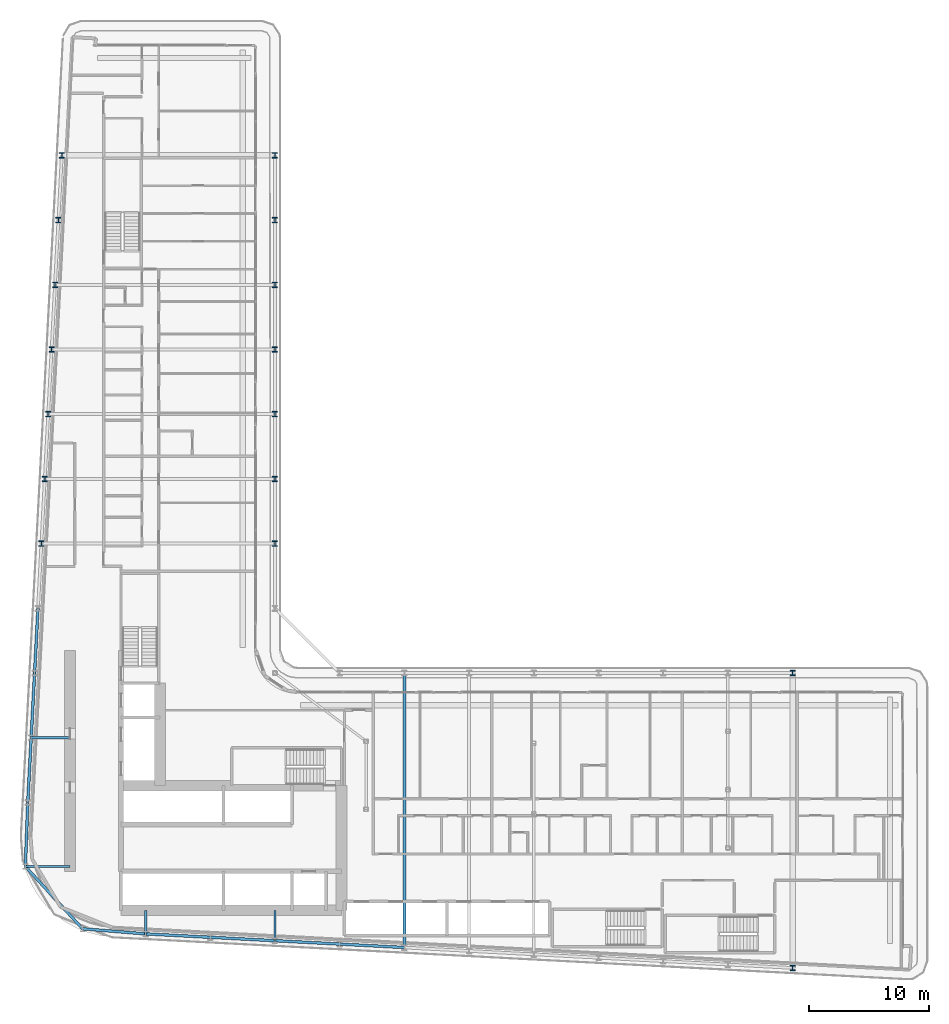
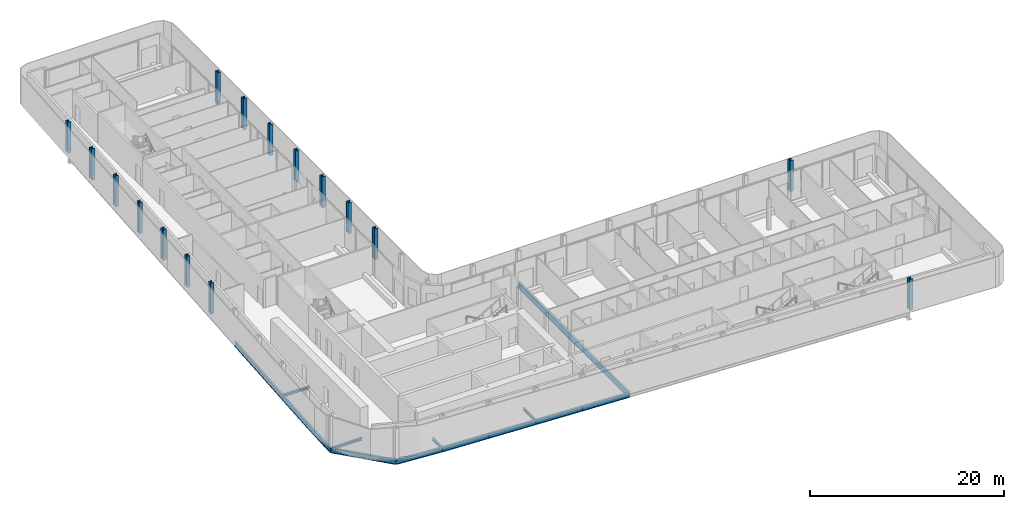
# One storey, part 3 of 28: 16 columns, 15 beams.
"""IFC4 building model written with IfcOpenShell, lengths in metres."""

from ifc_helpers import new_model, si_unit, direction, frame, origin, origin_2d, place, context, subcontext, project, spatial, i_section, extrude, material, material_profile, profile_set, type_object, element, save


model = new_model("IFC4")

# Units and contexts
model_context = context("Model", 3, precision=1e-05, world=origin(), true_north=direction((0.0, 1.0)))
body_context = subcontext(model_context, "Body", "Model", "MODEL_VIEW")
ifc_project = project(units=[si_unit("LENGTHUNIT", "METRE"), si_unit("AREAUNIT", "SQUARE_METRE"), si_unit("VOLUMEUNIT", "CUBIC_METRE"), si_unit("PLANEANGLEUNIT", "RADIAN"), si_unit("MASSUNIT", "GRAM", prefix="KILO")], contexts=[model_context])

# Site, building, storey
site_placement = place(None, origin())
site = spatial("IfcSite", under=ifc_project, at=site_placement, CompositionType="ELEMENT")
building_placement = place(site_placement, origin())
building = spatial("IfcBuilding", under=site, at=building_placement, Name="Kheshtan School and Residences Tower", CompositionType="ELEMENT")
storey_placement = place(building_placement, frame((0.0, 0.0, 125.300048828125)))
storey = spatial("IfcBuildingStorey", under=building, at=storey_placement, Name="L29", CompositionType="ELEMENT", Elevation=125.300048828125)

# Columns
ifc_material = material(Name="Steel ASTM A992 Grade 50", Category="steel")
ifc_material_profile_1 = material_profile(ifc_material, i_section(OverallWidth=0.41796875, OverallDepth=0.455078125, WebThickness=0.042236328125, FlangeThickness=0.067626953125, FilletRadius=0.013671875, at=origin_2d()), Name="W360x551")
ifc_profile_set_1 = profile_set([ifc_material_profile_1], Name="Steel ASTM A992 Grade 50")
column_type = type_object("IfcColumnType", Name="Column C2 W360x551 ASTM A992 Grade 50", PredefinedType="COLUMN", material=ifc_profile_set_1)
for number, where, z_axis, x_axis, name in (
    (1, (90.800048828125, 20.989990234375, 0.0), (0.0, 0.0, 1.0), (1.0, 0.0, 0.0), "Column C006"),
    (2, (90.800048828125, 45.60009765625, 0.0), (0.0, 0.0, 1.0), (1.0, 0.0, 0.0), "Column C068"),
    (3, (28.10595703125, 56.39990234375, 0.0), (0.0, 0.0, 1.0), (1.0, 0.0, 0.0), "Column C080"),
    (4, (47.60009765625, 56.39990234375, 0.0), (0.0, 0.0, 1.0), (1.0, 0.0, 0.0), "Column C081"),
    (5, (28.389892578125, 61.800048828125, 0.0), (0.0, 0.0, 1.0), (1.0, 0.0, 0.0), "Column C082"),
    (6, (47.60009765625, 61.800048828125, 0.0), (0.0, 0.0, 1.0), (1.0, 0.0, 0.0), "Column C083"),
    (7, (28.674072265625, 67.199951171875, 0.0), (0.0, 0.0, 1.0), (1.0, 0.0, 0.0), "Column C084"),
    (8, (47.60009765625, 67.199951171875, 0.0), (0.0, 0.0, 1.0), (1.0, 0.0, 0.0), "Column C085"),
    (9, (28.9580078125, 72.60009765625, 0.0), (0.0, 0.0, 1.0), (1.0, 0.0, 0.0), "Column C086"),
    (10, (47.60009765625, 72.60009765625, 0.0), (0.0, 0.0, 1.0), (1.0, 0.0, 0.0), "Column C087"),
    (11, (29.242919921875, 78.0, 0.0), (0.0, 0.0, 1.0), (1.0, 0.0, 0.0), "Column C088"),
    (12, (47.60009765625, 78.0, 0.0), (0.0, 0.0, 1.0), (1.0, 0.0, 0.0), "Column C089"),
    (13, (29.527099609375, 83.39990234375, 0.0), (0.0, 0.0, 1.0), (1.0, 0.0, 0.0), "Column C090"),
    (14, (47.60009765625, 83.39990234375, 0.0), (0.0, 0.0, 1.0), (1.0, 0.0, 0.0), "Column C091"),
    (15, (29.81103515625, 88.800048828125, 0.0), (0.0, 0.0, 1.0), (1.0, 0.0, 0.0), "Column C098"),
    (16, (47.60009765625, 88.800048828125, 0.0), (0.0, 0.0, 1.0), (1.0, 0.0, 0.0), "Column C099"),
):
    element("IfcColumn", number, at=place(storey_placement, frame(where, z_axis=z_axis, x_axis=x_axis)), inside=storey, type_object=column_type, Name=name, PredefinedType="COLUMN", context=body_context, shape_type="SweptSolid", body=[
        extrude(i_section(OverallWidth=0.41796875, OverallDepth=0.455078125, WebThickness=0.042236328125, FlangeThickness=0.067626953125, FilletRadius=0.013671875, at=origin_2d()), origin(), (0.0, 0.0, 1.0), 3.89990234375),
    ])

# Beams
ifc_material_profile_2 = material_profile(ifc_material, i_section(OverallWidth=0.202880859375, OverallDepth=0.302978515625, WebThickness=0.007568359375, FlangeThickness=0.01318359375, FilletRadius=0.009033203125, at=origin_2d()), Name="W310x60")
ifc_profile_set_2 = profile_set([ifc_material_profile_2], Name="Steel ASTM A992 Grade 50")
beam_type_1 = type_object("IfcBeamType", Name="Beam FB1 W310x60 ASTM A992 Grade 50", PredefinedType="BEAM", material=ifc_profile_set_2)
beam_1_placement = place(storey_placement, frame((47.60009765625, 23.263916015625, -0.301513671875), z_axis=(0.0, 1.0, 0.0), x_axis=(-1.0, 0.0, 0.0)))
element("IfcBeam", 17, at=beam_1_placement, inside=storey, type_object=beam_type_1, Name="Floor beam C020", PredefinedType="BEAM", context=body_context, shape_type="SweptSolid", body=[
    extrude(i_section(OverallWidth=0.202880859375, OverallDepth=0.302978515625, WebThickness=0.007568359375, FlangeThickness=0.01318359375, FilletRadius=0.009033203125, at=origin_2d()), origin(), (0.0, 0.0, 1.0), 2.5361328125),
])
beam_2_placement = place(storey_placement, frame((36.800048828125, 23.83203125, -0.301513671875), z_axis=(0.0, 1.0, 0.0), x_axis=(-1.0, 0.0, 0.0)))
element("IfcBeam", 18, at=beam_2_placement, inside=storey, type_object=beam_type_1, Name="Floor beam C022", PredefinedType="BEAM", context=body_context, shape_type="SweptSolid", body=[
    extrude(i_section(OverallWidth=0.202880859375, OverallDepth=0.302978515625, WebThickness=0.007568359375, FlangeThickness=0.01318359375, FilletRadius=0.009033203125, at=origin_2d()), origin(), (0.0, 0.0, 1.0), 1.968017578125),
])
beam_3_placement = place(storey_placement, frame((26.76904296875, 29.4541015625, -0.301513671875), z_axis=(1.0, 0.0, 0.0), x_axis=(0.0, 1.0, 0.0)))
element("IfcBeam", 19, at=beam_3_placement, inside=storey, type_object=beam_type_1, Name="Floor beam C038", PredefinedType="BEAM", context=body_context, shape_type="SweptSolid", body=[
    extrude(i_section(OverallWidth=0.202880859375, OverallDepth=0.302978515625, WebThickness=0.007568359375, FlangeThickness=0.01318359375, FilletRadius=0.009033203125, at=origin_2d()), origin(), (0.0, 0.0, 1.0), 3.73095703125),
])
beam_4_placement = place(storey_placement, frame((27.2529296875, 40.199951171875, -0.301513671875), z_axis=(1.0, 0.0, 0.0), x_axis=(0.0, 1.0, 0.0)))
element("IfcBeam", 20, at=beam_4_placement, inside=storey, type_object=beam_type_1, Name="Floor beam C056", PredefinedType="BEAM", context=body_context, shape_type="SweptSolid", body=[
    extrude(i_section(OverallWidth=0.202880859375, OverallDepth=0.302978515625, WebThickness=0.007568359375, FlangeThickness=0.01318359375, FilletRadius=0.009033203125, at=origin_2d()), origin(), (0.0, 0.0, 1.0), 3.2470703125),
])
ifc_material_profile_3 = material_profile(ifc_material, i_section(OverallWidth=0.2529296875, OverallDepth=0.677978515625, WebThickness=0.01171875, FlangeThickness=0.016357421875, FilletRadius=0.0146484375, at=origin_2d()), Name="W690x125")
ifc_profile_set_3 = profile_set([ifc_material_profile_3], Name="Steel ASTM A992 Grade 50")
beam_type_2 = type_object("IfcBeamType", Name="Beam FB6 W690x125 ASTM A992 Grade 50", PredefinedType="BEAM", material=ifc_profile_set_3)
beam_5_placement = place(storey_placement, frame((58.39990234375, 22.695068359375, -0.489013671875), z_axis=(0.0, 1.0, 0.0), x_axis=(-1.0, 0.0, 0.0)))
element("IfcBeam", 21, at=beam_5_placement, inside=storey, type_object=beam_type_2, Name="Floor beam C018", PredefinedType="BEAM", context=body_context, shape_type="SweptSolid", body=[
    extrude(i_section(OverallWidth=0.2529296875, OverallDepth=0.677978515625, WebThickness=0.01171875, FlangeThickness=0.016357421875, FilletRadius=0.0146484375, at=origin_2d()), origin(), (0.0, 0.0, 1.0), 22.905029296875),
])
ifc_material_profile_4 = material_profile(ifc_material, i_section(OverallWidth=0.22802734375, OverallDepth=0.60302734375, WebThickness=0.010498046875, FlangeThickness=0.014892578125, FilletRadius=0.013427734375, at=origin_2d()), Name="W610x101")
ifc_profile_set_4 = profile_set([ifc_material_profile_4], Name="Steel ASTM A992 Grade 50")
beam_type_3 = type_object("IfcBeamType", Name="Beam SP2 W610x101 ASTM A992 Grade 50", PredefinedType="BEAM", material=ifc_profile_set_4)
for number, where, z_axis, x_axis, name in (
    (22, (58.39990234375, 22.695068359375, -0.45166015625), (-0.998610961136, 0.052689166816, 0.0), (-0.052689166816, -0.998610961136, 0.0), "Spandrel beam C018-C019"),
    (23, (53.0, 22.97998046875, -0.45166015625), (-0.998620447272, 0.05250906864, 0.0), (-0.05250906864, -0.998620447272, 0.0), "Spandrel beam C019-C020"),
):
    element("IfcBeam", number, at=place(storey_placement, frame(where, z_axis=z_axis, x_axis=x_axis)), inside=storey, type_object=beam_type_3, Name=name, PredefinedType="BEAM", context=body_context, shape_type="SweptSolid", body=[
        extrude(i_section(OverallWidth=0.22802734375, OverallDepth=0.60302734375, WebThickness=0.010498046875, FlangeThickness=0.014892578125, FilletRadius=0.013427734375, at=origin_2d()), origin(), (0.0, 0.0, 1.0), 5.407470703125),
    ])
beam_6_placement = place(storey_placement, frame((47.60009765625, 23.263916015625, -0.45166015625), z_axis=(-0.998618203458, 0.052551724256, 0.0), x_axis=(-0.052551724256, -0.998618203458, 0.0)))
element("IfcBeam", 24, at=beam_6_placement, inside=storey, type_object=beam_type_3, Name="Spandrel beam C020-C021", PredefinedType="BEAM", context=body_context, shape_type="SweptSolid", body=[
    extrude(i_section(OverallWidth=0.22802734375, OverallDepth=0.60302734375, WebThickness=0.010498046875, FlangeThickness=0.014892578125, FilletRadius=0.013427734375, at=origin_2d()), origin(), (0.0, 0.0, 1.0), 5.40771484375),
])
beam_7_placement = place(storey_placement, frame((42.199951171875, 23.548095703125, -0.45166015625), z_axis=(-0.998620447272, 0.05250906864, 0.0), x_axis=(-0.05250906864, -0.998620447272, 0.0)))
element("IfcBeam", 25, at=beam_7_placement, inside=storey, type_object=beam_type_3, Name="Spandrel beam C021-C022", PredefinedType="BEAM", context=body_context, shape_type="SweptSolid", body=[
    extrude(i_section(OverallWidth=0.22802734375, OverallDepth=0.60302734375, WebThickness=0.010498046875, FlangeThickness=0.014892578125, FilletRadius=0.013427734375, at=origin_2d()), origin(), (0.0, 0.0, 1.0), 5.407470703125),
])
beam_8_placement = place(storey_placement, frame((36.800048828125, 23.83203125, -0.45166015625), z_axis=(-0.996748565693, 0.08057479003, 0.0), x_axis=(-0.08057479003, -0.996748565693, 0.0)))
element("IfcBeam", 26, at=beam_8_placement, inside=storey, type_object=beam_type_3, Name="Spandrel beam C022-C025", PredefinedType="BEAM", context=body_context, shape_type="SweptSolid", body=[
    extrude(i_section(OverallWidth=0.22802734375, OverallDepth=0.60302734375, WebThickness=0.010498046875, FlangeThickness=0.014892578125, FilletRadius=0.013427734375, at=origin_2d()), origin(), (0.0, 0.0, 1.0), 5.275146484375),
])
beam_9_placement = place(storey_placement, frame((31.5419921875, 24.257080078125, -0.45166015625), z_axis=(-0.676418406149, 0.736517576045, 0.0), x_axis=(-0.736517576045, -0.676418406149, 0.0)))
element("IfcBeam", 27, at=beam_9_placement, inside=storey, type_object=beam_type_3, Name="Spandrel beam C025-C038", PredefinedType="BEAM", context=body_context, shape_type="SweptSolid", body=[
    extrude(i_section(OverallWidth=0.22802734375, OverallDepth=0.60302734375, WebThickness=0.010498046875, FlangeThickness=0.014892578125, FilletRadius=0.013427734375, at=origin_2d()), origin(), (0.0, 0.0, 1.0), 7.05615234375),
])
beam_10_placement = place(storey_placement, frame((26.76904296875, 29.4541015625, -0.45166015625), z_axis=(0.037376249491, 0.999301263871, 0.0), x_axis=(-0.999301263871, 0.037376249491, 0.0)))
element("IfcBeam", 28, at=beam_10_placement, inside=storey, type_object=beam_type_3, Name="Spandrel beam C038-C052", PredefinedType="BEAM", context=body_context, shape_type="SweptSolid", body=[
    extrude(i_section(OverallWidth=0.22802734375, OverallDepth=0.60302734375, WebThickness=0.010498046875, FlangeThickness=0.014892578125, FilletRadius=0.013427734375, at=origin_2d()), origin(), (0.0, 0.0, 1.0), 5.349609375),
])
beam_11_placement = place(storey_placement, frame((26.968994140625, 34.800048828125, -0.45166015625), z_axis=(0.05250906864, 0.998620447272, 0.0), x_axis=(-0.998620447272, 0.05250906864, 0.0)))
element("IfcBeam", 29, at=beam_11_placement, inside=storey, type_object=beam_type_3, Name="Spandrel beam C052-C056", PredefinedType="BEAM", context=body_context, shape_type="SweptSolid", body=[
    extrude(i_section(OverallWidth=0.22802734375, OverallDepth=0.60302734375, WebThickness=0.010498046875, FlangeThickness=0.014892578125, FilletRadius=0.013427734375, at=origin_2d()), origin(), (0.0, 0.0, 1.0), 5.407470703125),
])
beam_12_placement = place(storey_placement, frame((27.2529296875, 40.199951171875, -0.45166015625), z_axis=(0.052551724256, 0.998618203458, 0.0), x_axis=(-0.998618203458, 0.052551724256, 0.0)))
element("IfcBeam", 30, at=beam_12_placement, inside=storey, type_object=beam_type_3, Name="Spandrel beam C056-C059", PredefinedType="BEAM", context=body_context, shape_type="SweptSolid", body=[
    extrude(i_section(OverallWidth=0.22802734375, OverallDepth=0.60302734375, WebThickness=0.010498046875, FlangeThickness=0.014892578125, FilletRadius=0.013427734375, at=origin_2d()), origin(), (0.0, 0.0, 1.0), 5.40771484375),
])
beam_13_placement = place(storey_placement, frame((27.537109375, 45.60009765625, -0.45166015625), z_axis=(0.052689166816, 0.998610961136, 0.0), x_axis=(-0.998610961136, 0.052689166816, 0.0)))
element("IfcBeam", 31, at=beam_13_placement, inside=storey, type_object=beam_type_3, Name="Spandrel beam C059-C078", PredefinedType="BEAM", context=body_context, shape_type="SweptSolid", body=[
    extrude(i_section(OverallWidth=0.22802734375, OverallDepth=0.60302734375, WebThickness=0.010498046875, FlangeThickness=0.014892578125, FilletRadius=0.013427734375, at=origin_2d()), origin(), (0.0, 0.0, 1.0), 5.407470703125),
])

save(model, "model.ifc")
